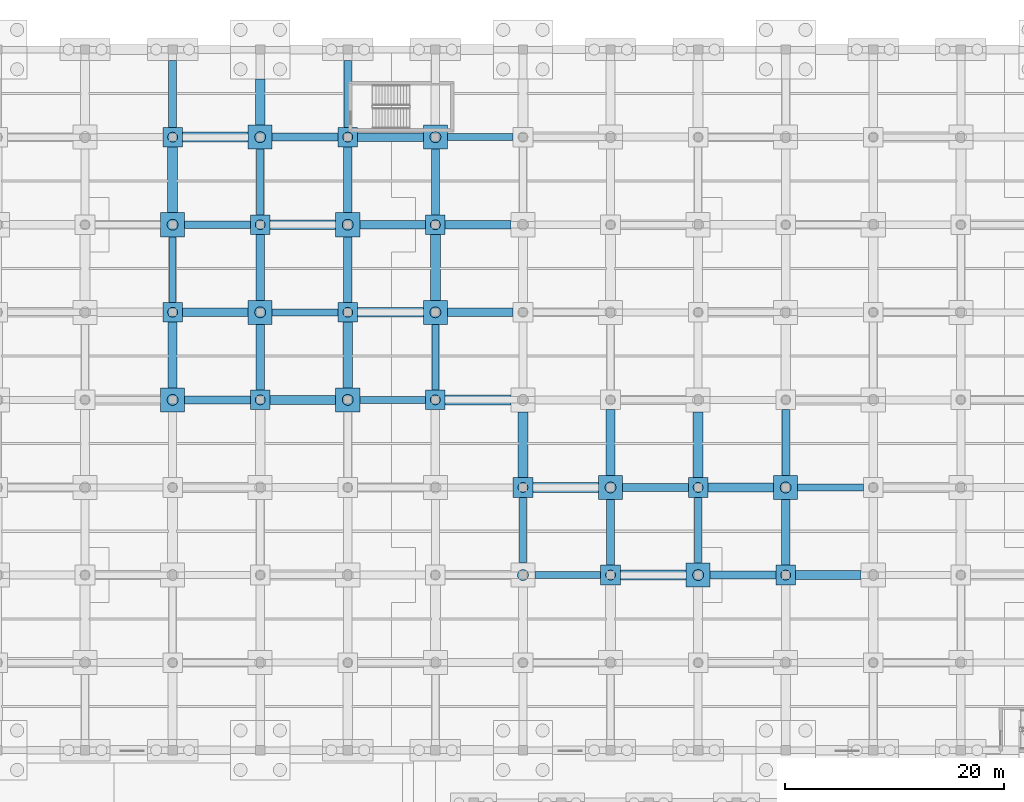
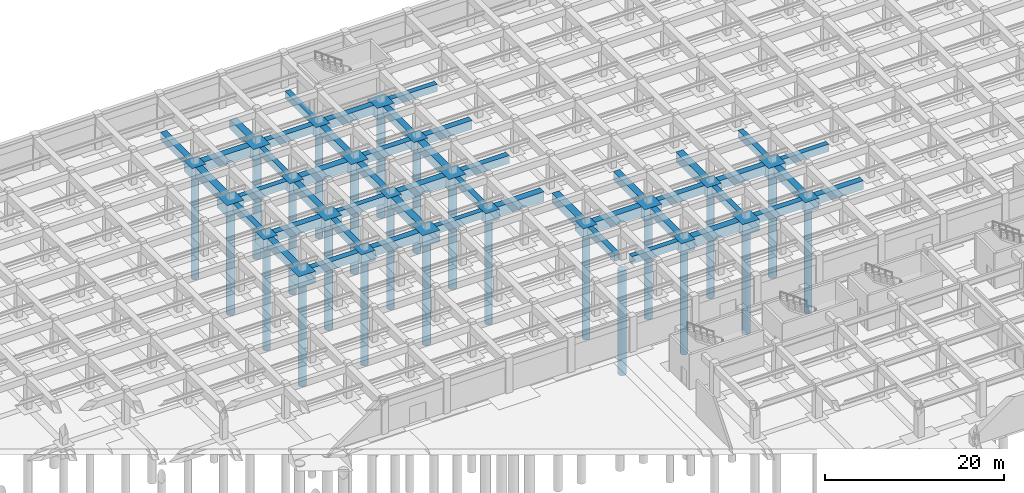
# One storey, part 10 of 48: 70 footings, 24 piles.
"""IFC4 building model written with IfcOpenShell, lengths in metres."""

from ifc_helpers import new_model, si_unit, direction, frame, origin, origin_2d, place, context, subcontext, project, spatial, polyline, rectangle, circle, outline, extrude, material, layer, layer_set, material_profile, profile_set, type_object, element, save


model = new_model("IFC4")

# Units and contexts
model_context = context("Model", 3, precision=1e-05, world=origin(), true_north=direction((0.0, 1.0)))
body_context = subcontext(model_context, "Body", "Model", "MODEL_VIEW")
ifc_project = project(units=[si_unit("LENGTHUNIT", "METRE"), si_unit("AREAUNIT", "SQUARE_METRE"), si_unit("VOLUMEUNIT", "CUBIC_METRE"), si_unit("PLANEANGLEUNIT", "RADIAN"), si_unit("MASSUNIT", "GRAM", prefix="KILO")], contexts=[model_context])

# Site, building, storey
site_placement = place(None, origin())
site = spatial("IfcSite", under=ifc_project, at=site_placement, CompositionType="ELEMENT")
building_placement = place(site_placement, origin())
building = spatial("IfcBuilding", under=site, at=building_placement, Name="Tlacozan Convention Centre", CompositionType="ELEMENT")
storey_placement = place(building_placement, frame((0.0, 0.0, -4.800048828125)))
storey = spatial("IfcBuildingStorey", under=building, at=storey_placement, Name="B01", CompositionType="ELEMENT", Elevation=-4.800048828125)

# Footings
ifc_material = material(Name="Concrete C35/45", Category="concrete")
ifc_layer_1 = layer(ifc_material, 1.0)
ifc_layer_set_1 = layer_set([ifc_layer_1], Name="Concrete C35/45")
footing_type_1 = type_object("IfcFootingType", Name="Foundation Tie Beam 650x1000", PredefinedType="FOOTING_BEAM", material=ifc_layer_set_1)
footing_1_placement = place(storey_placement, frame((0.0, 0.0, -1.0)))
element("IfcFooting", 1, at=footing_1_placement, inside=storey, type_object=footing_type_1, Name="Foundation Tie Beam X-181", PredefinedType="FOOTING_BEAM", context=body_context, shape_type="SweptSolid", body=[
    extrude(outline(polyline([(97.10009765625, 77.675048828125), (103.10009765625, 77.675048828125), (103.10009765625, 78.324951171875), (97.10009765625, 78.324951171875), (97.10009765625, 77.675048828125)])), origin(), (0.0, 0.0, 1.0), 1.0),
])
footing_2_placement = place(storey_placement, frame((0.0, 0.0, -1.0)))
element("IfcFooting", 2, at=footing_2_placement, inside=storey, type_object=footing_type_1, Name="Foundation Tie Beam X-205", PredefinedType="FOOTING_BEAM", context=body_context, shape_type="SweptSolid", body=[
    extrude(outline(polyline([(121.10009765625, 85.675048828125), (127.10009765625, 85.675048828125), (127.10009765625, 86.324951171875), (121.10009765625, 86.324951171875), (121.10009765625, 85.675048828125)])), origin(), (0.0, 0.0, 1.0), 1.0),
])
footing_3_placement = place(storey_placement, frame((0.0, 0.0, -1.0)))
element("IfcFooting", 3, at=footing_3_placement, inside=storey, type_object=footing_type_1, Name="Foundation Tie Beam X-221", PredefinedType="FOOTING_BEAM", context=body_context, shape_type="SweptSolid", body=[
    extrude(outline(polyline([(81.10009765625, 93.675048828125), (87.10009765625, 93.675048828125), (87.10009765625, 94.324951171875), (81.10009765625, 94.324951171875), (81.10009765625, 93.675048828125)])), origin(), (0.0, 0.0, 1.0), 1.0),
])
footing_4_placement = place(storey_placement, frame((0.0, 0.0, -1.0)))
element("IfcFooting", 4, at=footing_4_placement, inside=storey, type_object=footing_type_1, Name="Foundation Tie Beam X-241", PredefinedType="FOOTING_BEAM", context=body_context, shape_type="SweptSolid", body=[
    extrude(outline(polyline([(73.10009765625, 101.675048828125), (79.10009765625, 101.675048828125), (79.10009765625, 102.324951171875), (73.10009765625, 102.324951171875), (73.10009765625, 101.675048828125)])), origin(), (0.0, 0.0, 1.0), 1.0),
])
footing_5_placement = place(storey_placement, frame((0.0, 0.0, -1.0)))
element("IfcFooting", 5, at=footing_5_placement, inside=storey, type_object=footing_type_1, Name="Foundation Tie Beam X-261", PredefinedType="FOOTING_BEAM", context=body_context, shape_type="SweptSolid", body=[
    extrude(outline(polyline([(65.10009765625, 109.675048828125), (71.10009765625, 109.675048828125), (71.10009765625, 110.324951171875), (65.10009765625, 110.324951171875), (65.10009765625, 109.675048828125)])), origin(), (0.0, 0.0, 1.0), 1.0),
])
footing_6_placement = place(storey_placement, frame((0.0, 0.0, -1.0)))
element("IfcFooting", 6, at=footing_6_placement, inside=storey, type_object=footing_type_1, Name="Foundation Tie Beam X-285", PredefinedType="FOOTING_BEAM", context=body_context, shape_type="SweptSolid", body=[
    extrude(outline(polyline([(89.10009765625, 117.675048828125), (95.10009765625, 117.675048828125), (95.10009765625, 118.324951171875), (89.10009765625, 118.324951171875), (89.10009765625, 117.675048828125)])), origin(), (0.0, 0.0, 1.0), 1.0),
])
footing_7_placement = place(storey_placement, frame((0.0, 0.0, -1.0)))
element("IfcFooting", 7, at=footing_7_placement, inside=storey, type_object=footing_type_1, Name="Foundation Tie Beam Y-425", PredefinedType="FOOTING_BEAM", context=body_context, shape_type="SweptSolid", body=[
    extrude(outline(polyline([(63.675048828125, 102.89990234375), (64.324951171875, 102.89990234375), (64.324951171875, 108.89990234375), (63.675048828125, 108.89990234375), (63.675048828125, 102.89990234375)])), origin(), (0.0, 0.0, 1.0), 1.0),
])
footing_8_placement = place(storey_placement, frame((0.0, 0.0, -1.0)))
element("IfcFooting", 8, at=footing_8_placement, inside=storey, type_object=footing_type_1, Name="Foundation Tie Beam Y-437", PredefinedType="FOOTING_BEAM", context=body_context, shape_type="SweptSolid", body=[
    extrude(outline(polyline([(71.675048828125, 110.89990234375), (72.324951171875, 110.89990234375), (72.324951171875, 116.89990234375), (71.675048828125, 116.89990234375), (71.675048828125, 110.89990234375)])), origin(), (0.0, 0.0, 1.0), 1.0),
])
footing_9_placement = place(storey_placement, frame((0.0, 0.0, -1.0)))
element("IfcFooting", 9, at=footing_9_placement, inside=storey, type_object=footing_type_1, Name="Foundation Tie Beam Y-449", PredefinedType="FOOTING_BEAM", context=body_context, shape_type="SweptSolid", body=[
    extrude(outline(polyline([(79.675048828125, 118.89990234375), (80.324951171875, 118.89990234375), (80.324951171875, 125.0), (79.675048828125, 125.0), (79.675048828125, 118.89990234375)])), origin(), (0.0, 0.0, 1.0), 1.0),
])
footing_10_placement = place(storey_placement, frame((0.0, 0.0, -1.0)))
element("IfcFooting", 10, at=footing_10_placement, inside=storey, type_object=footing_type_1, Name="Foundation Tie Beam Y-457", PredefinedType="FOOTING_BEAM", context=body_context, shape_type="SweptSolid", body=[
    extrude(outline(polyline([(87.675048828125, 94.89990234375), (88.324951171875, 94.89990234375), (88.324951171875, 100.89990234375), (87.675048828125, 100.89990234375), (87.675048828125, 94.89990234375)])), origin(), (0.0, 0.0, 1.0), 1.0),
])
footing_11_placement = place(storey_placement, frame((0.0, 0.0, -1.0)))
element("IfcFooting", 11, at=footing_11_placement, inside=storey, type_object=footing_type_1, Name="Foundation Tie Beam Y-469", PredefinedType="FOOTING_BEAM", context=body_context, shape_type="SweptSolid", body=[
    extrude(outline(polyline([(95.675048828125, 79.10009765625), (96.324951171875, 79.10009765625), (96.324951171875, 85.10009765625), (95.675048828125, 85.10009765625), (95.675048828125, 79.10009765625)])), origin(), (0.0, 0.0, 1.0), 1.0),
])
footing_12_placement = place(storey_placement, frame((0.0, 0.0, -1.0)))
element("IfcFooting", 12, at=footing_12_placement, inside=storey, type_object=footing_type_1, Name="Foundation Tie Beam Y-497", PredefinedType="FOOTING_BEAM", context=body_context, shape_type="SweptSolid", body=[
    extrude(outline(polyline([(111.675048828125, 79.10009765625), (112.324951171875, 79.10009765625), (112.324951171875, 85.10009765625), (111.675048828125, 85.10009765625), (111.675048828125, 79.10009765625)])), origin(), (0.0, 0.0, 1.0), 1.0),
])
footing_13_placement = place(storey_placement, frame((0.0, 0.0, -1.0)))
element("IfcFooting", 13, at=footing_13_placement, inside=storey, type_object=footing_type_1, Name="Foundation Tie Beam Y-509", PredefinedType="FOOTING_BEAM", context=body_context, shape_type="SweptSolid", body=[
    extrude(outline(polyline([(119.675048828125, 87.10009765625), (120.324951171875, 87.10009765625), (120.324951171875, 93.10009765625), (119.675048828125, 93.10009765625), (119.675048828125, 87.10009765625)])), origin(), (0.0, 0.0, 1.0), 1.0),
])
ifc_layer_2 = layer(ifc_material, 1.10009765625)
ifc_layer_set_2 = layer_set([ifc_layer_2], Name="Concrete C35/45")
footing_type_2 = type_object("IfcFootingType", Name="Foundation Tie Beam 750x1100", PredefinedType="FOOTING_BEAM", material=ifc_layer_set_2)
footing_14_placement = place(storey_placement, frame((0.0, 0.0, -1.099853515625)))
element("IfcFooting", 14, at=footing_14_placement, inside=storey, type_object=footing_type_2, Name="Foundation Tie Beam X-183", PredefinedType="FOOTING_BEAM", context=body_context, shape_type="SweptSolid", body=[
    extrude(outline(polyline([(113.10009765625, 77.625), (119.10009765625, 77.625), (119.10009765625, 78.375), (113.10009765625, 78.375), (113.10009765625, 77.625)])), origin(), (0.0, 0.0, 1.0), 1.099853515625),
])
footing_15_placement = place(storey_placement, frame((0.0, 0.0, -1.099853515625)))
element("IfcFooting", 15, at=footing_15_placement, inside=storey, type_object=footing_type_2, Name="Foundation Tie Beam X-203", PredefinedType="FOOTING_BEAM", context=body_context, shape_type="SweptSolid", body=[
    extrude(outline(polyline([(105.10009765625, 85.625), (111.10009765625, 85.625), (111.10009765625, 86.375), (105.10009765625, 86.375), (105.10009765625, 85.625)])), origin(), (0.0, 0.0, 1.0), 1.099853515625),
])
footing_16_placement = place(storey_placement, frame((0.0, 0.0, -1.099853515625)))
element("IfcFooting", 16, at=footing_16_placement, inside=storey, type_object=footing_type_2, Name="Foundation Tie Beam X-219", PredefinedType="FOOTING_BEAM", context=body_context, shape_type="SweptSolid", body=[
    extrude(outline(polyline([(65.10009765625, 93.625), (71.10009765625, 93.625), (71.10009765625, 94.375), (65.10009765625, 94.375), (65.10009765625, 93.625)])), origin(), (0.0, 0.0, 1.0), 1.099853515625),
])
footing_17_placement = place(storey_placement, frame((0.0, 0.0, -1.099853515625)))
element("IfcFooting", 17, at=footing_17_placement, inside=storey, type_object=footing_type_2, Name="Foundation Tie Beam X-243", PredefinedType="FOOTING_BEAM", context=body_context, shape_type="SweptSolid", body=[
    extrude(outline(polyline([(89.10009765625, 101.625), (95.10009765625, 101.625), (95.10009765625, 102.375), (89.10009765625, 102.375), (89.10009765625, 101.625)])), origin(), (0.0, 0.0, 1.0), 1.099853515625),
])
footing_18_placement = place(storey_placement, frame((0.0, 0.0, -1.099853515625)))
element("IfcFooting", 18, at=footing_18_placement, inside=storey, type_object=footing_type_2, Name="Foundation Tie Beam X-263", PredefinedType="FOOTING_BEAM", context=body_context, shape_type="SweptSolid", body=[
    extrude(outline(polyline([(81.10009765625, 109.625), (87.10009765625, 109.625), (87.10009765625, 110.375), (81.10009765625, 110.375), (81.10009765625, 109.625)])), origin(), (0.0, 0.0, 1.0), 1.099853515625),
])
footing_19_placement = place(storey_placement, frame((0.0, 0.0, -1.099853515625)))
element("IfcFooting", 19, at=footing_19_placement, inside=storey, type_object=footing_type_2, Name="Foundation Tie Beam X-283", PredefinedType="FOOTING_BEAM", context=body_context, shape_type="SweptSolid", body=[
    extrude(outline(polyline([(73.10009765625, 117.625), (79.10009765625, 117.625), (79.10009765625, 118.375), (73.10009765625, 118.375), (73.10009765625, 117.625)])), origin(), (0.0, 0.0, 1.0), 1.099853515625),
])
footing_20_placement = place(storey_placement, frame((0.0, 0.0, -1.099853515625)))
element("IfcFooting", 20, at=footing_20_placement, inside=storey, type_object=footing_type_2, Name="Foundation Tie Beam Y-427", PredefinedType="FOOTING_BEAM", context=body_context, shape_type="SweptSolid", body=[
    extrude(outline(polyline([(63.625, 118.89990234375), (64.375, 118.89990234375), (64.375, 125.0), (63.625, 125.0), (63.625, 118.89990234375)])), origin(), (0.0, 0.0, 1.0), 1.099853515625),
])
footing_21_placement = place(storey_placement, frame((0.0, 0.0, -1.099853515625)))
element("IfcFooting", 21, at=footing_21_placement, inside=storey, type_object=footing_type_2, Name="Foundation Tie Beam Y-435", PredefinedType="FOOTING_BEAM", context=body_context, shape_type="SweptSolid", body=[
    extrude(outline(polyline([(71.625, 94.89990234375), (72.375, 94.89990234375), (72.375, 100.89990234375), (71.625, 100.89990234375), (71.625, 94.89990234375)])), origin(), (0.0, 0.0, 1.0), 1.099853515625),
])
footing_22_placement = place(storey_placement, frame((0.0, 0.0, -1.099853515625)))
element("IfcFooting", 22, at=footing_22_placement, inside=storey, type_object=footing_type_2, Name="Foundation Tie Beam Y-447", PredefinedType="FOOTING_BEAM", context=body_context, shape_type="SweptSolid", body=[
    extrude(outline(polyline([(79.625, 102.89990234375), (80.375, 102.89990234375), (80.375, 108.89990234375), (79.625, 108.89990234375), (79.625, 102.89990234375)])), origin(), (0.0, 0.0, 1.0), 1.099853515625),
])
footing_23_placement = place(storey_placement, frame((0.0, 0.0, -1.099853515625)))
element("IfcFooting", 23, at=footing_23_placement, inside=storey, type_object=footing_type_2, Name="Foundation Tie Beam Y-459", PredefinedType="FOOTING_BEAM", context=body_context, shape_type="SweptSolid", body=[
    extrude(outline(polyline([(87.625, 110.89990234375), (88.375, 110.89990234375), (88.375, 116.89990234375), (87.625, 116.89990234375), (87.625, 110.89990234375)])), origin(), (0.0, 0.0, 1.0), 1.099853515625),
])
footing_24_placement = place(storey_placement, frame((0.0, 0.0, -1.099853515625)))
element("IfcFooting", 24, at=footing_24_placement, inside=storey, type_object=footing_type_2, Name="Foundation Tie Beam Y-483", PredefinedType="FOOTING_BEAM", context=body_context, shape_type="SweptSolid", body=[
    extrude(outline(polyline([(103.625, 78.89990234375), (104.375, 78.89990234375), (104.375, 84.89990234375), (103.625, 84.89990234375), (103.625, 78.89990234375)])), origin(), (0.0, 0.0, 1.0), 1.099853515625),
])
ifc_layer_3 = layer(ifc_material, 1.199951171875)
ifc_layer_set_3 = layer_set([ifc_layer_3], Name="Concrete C35/45")
footing_type_3 = type_object("IfcFootingType", Name="Foundation Tie Beam 800x1200", PredefinedType="FOOTING_BEAM", material=ifc_layer_set_3)
footing_25_placement = place(storey_placement, frame((0.0, 0.0, -1.199951171875)))
element("IfcFooting", 25, at=footing_25_placement, inside=storey, type_object=footing_type_3, Name="Foundation Tie Beam X-184", PredefinedType="FOOTING_BEAM", context=body_context, shape_type="SweptSolid", body=[
    extrude(outline(polyline([(120.89990234375, 77.60009765625), (126.89990234375, 77.60009765625), (126.89990234375, 78.39990234375), (120.89990234375, 78.39990234375), (120.89990234375, 77.60009765625)])), origin(), (0.0, 0.0, 1.0), 1.199951171875),
])
footing_26_placement = place(storey_placement, frame((0.0, 0.0, -1.199951171875)))
element("IfcFooting", 26, at=footing_26_placement, inside=storey, type_object=footing_type_3, Name="Foundation Tie Beam X-204", PredefinedType="FOOTING_BEAM", context=body_context, shape_type="SweptSolid", body=[
    extrude(outline(polyline([(112.89990234375, 85.60009765625), (118.89990234375, 85.60009765625), (118.89990234375, 86.39990234375), (112.89990234375, 86.39990234375), (112.89990234375, 85.60009765625)])), origin(), (0.0, 0.0, 1.0), 1.199951171875),
])
footing_27_placement = place(storey_placement, frame((0.0, 0.0, -1.199951171875)))
element("IfcFooting", 27, at=footing_27_placement, inside=storey, type_object=footing_type_3, Name="Foundation Tie Beam X-220", PredefinedType="FOOTING_BEAM", context=body_context, shape_type="SweptSolid", body=[
    extrude(outline(polyline([(72.89990234375, 93.60009765625), (78.89990234375, 93.60009765625), (78.89990234375, 94.39990234375), (72.89990234375, 94.39990234375), (72.89990234375, 93.60009765625)])), origin(), (0.0, 0.0, 1.0), 1.199951171875),
])
footing_28_placement = place(storey_placement, frame((0.0, 0.0, -1.199951171875)))
element("IfcFooting", 28, at=footing_28_placement, inside=storey, type_object=footing_type_3, Name="Foundation Tie Beam X-240", PredefinedType="FOOTING_BEAM", context=body_context, shape_type="SweptSolid", body=[
    extrude(outline(polyline([(64.89990234375, 101.60009765625), (70.89990234375, 101.60009765625), (70.89990234375, 102.39990234375), (64.89990234375, 102.39990234375), (64.89990234375, 101.60009765625)])), origin(), (0.0, 0.0, 1.0), 1.199951171875),
])
footing_29_placement = place(storey_placement, frame((0.0, 0.0, -1.199951171875)))
element("IfcFooting", 29, at=footing_29_placement, inside=storey, type_object=footing_type_3, Name="Foundation Tie Beam X-264", PredefinedType="FOOTING_BEAM", context=body_context, shape_type="SweptSolid", body=[
    extrude(outline(polyline([(88.89990234375, 109.60009765625), (94.89990234375, 109.60009765625), (94.89990234375, 110.39990234375), (88.89990234375, 110.39990234375), (88.89990234375, 109.60009765625)])), origin(), (0.0, 0.0, 1.0), 1.199951171875),
])
footing_30_placement = place(storey_placement, frame((0.0, 0.0, -1.199951171875)))
element("IfcFooting", 30, at=footing_30_placement, inside=storey, type_object=footing_type_3, Name="Foundation Tie Beam X-284", PredefinedType="FOOTING_BEAM", context=body_context, shape_type="SweptSolid", body=[
    extrude(outline(polyline([(80.89990234375, 117.60009765625), (86.89990234375, 117.60009765625), (86.89990234375, 118.39990234375), (80.89990234375, 118.39990234375), (80.89990234375, 117.60009765625)])), origin(), (0.0, 0.0, 1.0), 1.199951171875),
])
footing_31_placement = place(storey_placement, frame((0.0, 0.0, -1.199951171875)))
element("IfcFooting", 31, at=footing_31_placement, inside=storey, type_object=footing_type_3, Name="Foundation Tie Beam Y-424", PredefinedType="FOOTING_BEAM", context=body_context, shape_type="SweptSolid", body=[
    extrude(outline(polyline([(63.60009765625, 95.10009765625), (64.39990234375, 95.10009765625), (64.39990234375, 101.10009765625), (63.60009765625, 101.10009765625), (63.60009765625, 95.10009765625)])), origin(), (0.0, 0.0, 1.0), 1.199951171875),
])
footing_32_placement = place(storey_placement, frame((0.0, 0.0, -1.199951171875)))
element("IfcFooting", 32, at=footing_32_placement, inside=storey, type_object=footing_type_3, Name="Foundation Tie Beam Y-436", PredefinedType="FOOTING_BEAM", context=body_context, shape_type="SweptSolid", body=[
    extrude(outline(polyline([(71.60009765625, 103.10009765625), (72.39990234375, 103.10009765625), (72.39990234375, 109.10009765625), (71.60009765625, 109.10009765625), (71.60009765625, 103.10009765625)])), origin(), (0.0, 0.0, 1.0), 1.199951171875),
])
footing_33_placement = place(storey_placement, frame((0.0, 0.0, -1.199951171875)))
element("IfcFooting", 33, at=footing_33_placement, inside=storey, type_object=footing_type_3, Name="Foundation Tie Beam Y-448", PredefinedType="FOOTING_BEAM", context=body_context, shape_type="SweptSolid", body=[
    extrude(outline(polyline([(79.60009765625, 111.10009765625), (80.39990234375, 111.10009765625), (80.39990234375, 117.10009765625), (79.60009765625, 117.10009765625), (79.60009765625, 111.10009765625)])), origin(), (0.0, 0.0, 1.0), 1.199951171875),
])
footing_34_placement = place(storey_placement, frame((0.0, 0.0, -1.199951171875)))
element("IfcFooting", 34, at=footing_34_placement, inside=storey, type_object=footing_type_3, Name="Foundation Tie Beam Y-484", PredefinedType="FOOTING_BEAM", context=body_context, shape_type="SweptSolid", body=[
    extrude(outline(polyline([(103.60009765625, 87.10009765625), (104.39990234375, 87.10009765625), (104.39990234375, 93.10009765625), (103.60009765625, 93.10009765625), (103.60009765625, 87.10009765625)])), origin(), (0.0, 0.0, 1.0), 1.199951171875),
])
footing_35_placement = place(storey_placement, frame((0.0, 0.0, -1.199951171875)))
element("IfcFooting", 35, at=footing_35_placement, inside=storey, type_object=footing_type_3, Name="Foundation Tie Beam Y-508", PredefinedType="FOOTING_BEAM", context=body_context, shape_type="SweptSolid", body=[
    extrude(outline(polyline([(119.60009765625, 78.89990234375), (120.39990234375, 78.89990234375), (120.39990234375, 84.89990234375), (119.60009765625, 84.89990234375), (119.60009765625, 78.89990234375)])), origin(), (0.0, 0.0, 1.0), 1.199951171875),
])
ifc_layer_4 = layer(ifc_material, 1.300048828125)
ifc_layer_set_4 = layer_set([ifc_layer_4], Name="Concrete C35/45")
footing_type_4 = type_object("IfcFootingType", Name="Foundation Tie Beam 900x1300", PredefinedType="FOOTING_BEAM", material=ifc_layer_set_4)
footing_36_placement = place(storey_placement, frame((0.0, 0.0, -1.300048828125)))
element("IfcFooting", 36, at=footing_36_placement, inside=storey, type_object=footing_type_4, Name="Foundation Tie Beam X-182", PredefinedType="FOOTING_BEAM", context=body_context, shape_type="SweptSolid", body=[
    extrude(outline(polyline([(104.89990234375, 77.550048828125), (110.89990234375, 77.550048828125), (110.89990234375, 78.449951171875), (104.89990234375, 78.449951171875), (104.89990234375, 77.550048828125)])), origin(), (0.0, 0.0, 1.0), 1.300048828125),
])
footing_37_placement = place(storey_placement, frame((0.0, 0.0, -1.300048828125)))
element("IfcFooting", 37, at=footing_37_placement, inside=storey, type_object=footing_type_4, Name="Foundation Tie Beam X-202", PredefinedType="FOOTING_BEAM", context=body_context, shape_type="SweptSolid", body=[
    extrude(outline(polyline([(96.89990234375, 85.550048828125), (102.89990234375, 85.550048828125), (102.89990234375, 86.449951171875), (96.89990234375, 86.449951171875), (96.89990234375, 85.550048828125)])), origin(), (0.0, 0.0, 1.0), 1.300048828125),
])
footing_38_placement = place(storey_placement, frame((0.0, 0.0, -1.300048828125)))
element("IfcFooting", 38, at=footing_38_placement, inside=storey, type_object=footing_type_4, Name="Foundation Tie Beam X-222", PredefinedType="FOOTING_BEAM", context=body_context, shape_type="SweptSolid", body=[
    extrude(outline(polyline([(88.89990234375, 93.550048828125), (94.89990234375, 93.550048828125), (94.89990234375, 94.449951171875), (88.89990234375, 94.449951171875), (88.89990234375, 93.550048828125)])), origin(), (0.0, 0.0, 1.0), 1.300048828125),
])
footing_39_placement = place(storey_placement, frame((0.0, 0.0, -1.300048828125)))
element("IfcFooting", 39, at=footing_39_placement, inside=storey, type_object=footing_type_4, Name="Foundation Tie Beam X-242", PredefinedType="FOOTING_BEAM", context=body_context, shape_type="SweptSolid", body=[
    extrude(outline(polyline([(80.89990234375, 101.550048828125), (86.89990234375, 101.550048828125), (86.89990234375, 102.449951171875), (80.89990234375, 102.449951171875), (80.89990234375, 101.550048828125)])), origin(), (0.0, 0.0, 1.0), 1.300048828125),
])
footing_40_placement = place(storey_placement, frame((0.0, 0.0, -1.300048828125)))
element("IfcFooting", 40, at=footing_40_placement, inside=storey, type_object=footing_type_4, Name="Foundation Tie Beam X-262", PredefinedType="FOOTING_BEAM", context=body_context, shape_type="SweptSolid", body=[
    extrude(outline(polyline([(72.89990234375, 109.550048828125), (78.89990234375, 109.550048828125), (78.89990234375, 110.449951171875), (72.89990234375, 110.449951171875), (72.89990234375, 109.550048828125)])), origin(), (0.0, 0.0, 1.0), 1.300048828125),
])
footing_41_placement = place(storey_placement, frame((0.0, 0.0, -1.300048828125)))
element("IfcFooting", 41, at=footing_41_placement, inside=storey, type_object=footing_type_4, Name="Foundation Tie Beam X-282", PredefinedType="FOOTING_BEAM", context=body_context, shape_type="SweptSolid", body=[
    extrude(outline(polyline([(64.89990234375, 117.550048828125), (70.89990234375, 117.550048828125), (70.89990234375, 118.449951171875), (64.89990234375, 118.449951171875), (64.89990234375, 117.550048828125)])), origin(), (0.0, 0.0, 1.0), 1.300048828125),
])
footing_42_placement = place(storey_placement, frame((0.0, 0.0, -1.300048828125)))
element("IfcFooting", 42, at=footing_42_placement, inside=storey, type_object=footing_type_4, Name="Foundation Tie Beam Y-426", PredefinedType="FOOTING_BEAM", context=body_context, shape_type="SweptSolid", body=[
    extrude(outline(polyline([(63.550048828125, 111.10009765625), (64.449951171875, 111.10009765625), (64.449951171875, 117.10009765625), (63.550048828125, 117.10009765625), (63.550048828125, 111.10009765625)])), origin(), (0.0, 0.0, 1.0), 1.300048828125),
])
footing_43_placement = place(storey_placement, frame((0.0, 0.0, -1.300048828125)))
element("IfcFooting", 43, at=footing_43_placement, inside=storey, type_object=footing_type_4, Name="Foundation Tie Beam Y-438", PredefinedType="FOOTING_BEAM", context=body_context, shape_type="SweptSolid", body=[
    extrude(outline(polyline([(71.550048828125, 119.10009765625), (72.449951171875, 119.10009765625), (72.449951171875, 123.300048828125), (71.550048828125, 123.300048828125), (71.550048828125, 119.10009765625)])), origin(), (0.0, 0.0, 1.0), 1.300048828125),
])
footing_44_placement = place(storey_placement, frame((0.0, 0.0, -1.300048828125)))
element("IfcFooting", 44, at=footing_44_placement, inside=storey, type_object=footing_type_4, Name="Foundation Tie Beam Y-446", PredefinedType="FOOTING_BEAM", context=body_context, shape_type="SweptSolid", body=[
    extrude(outline(polyline([(79.550048828125, 95.10009765625), (80.449951171875, 95.10009765625), (80.449951171875, 101.10009765625), (79.550048828125, 101.10009765625), (79.550048828125, 95.10009765625)])), origin(), (0.0, 0.0, 1.0), 1.300048828125),
])
footing_45_placement = place(storey_placement, frame((0.0, 0.0, -1.300048828125)))
element("IfcFooting", 45, at=footing_45_placement, inside=storey, type_object=footing_type_4, Name="Foundation Tie Beam Y-458", PredefinedType="FOOTING_BEAM", context=body_context, shape_type="SweptSolid", body=[
    extrude(outline(polyline([(87.550048828125, 103.10009765625), (88.449951171875, 103.10009765625), (88.449951171875, 109.10009765625), (87.550048828125, 109.10009765625), (87.550048828125, 103.10009765625)])), origin(), (0.0, 0.0, 1.0), 1.300048828125),
])
footing_46_placement = place(storey_placement, frame((0.0, 0.0, -1.300048828125)))
element("IfcFooting", 46, at=footing_46_placement, inside=storey, type_object=footing_type_4, Name="Foundation Tie Beam Y-470", PredefinedType="FOOTING_BEAM", context=body_context, shape_type="SweptSolid", body=[
    extrude(outline(polyline([(95.550048828125, 86.89990234375), (96.449951171875, 86.89990234375), (96.449951171875, 92.89990234375), (95.550048828125, 92.89990234375), (95.550048828125, 86.89990234375)])), origin(), (0.0, 0.0, 1.0), 1.300048828125),
])
footing_47_placement = place(storey_placement, frame((0.0, 0.0, -1.300048828125)))
element("IfcFooting", 47, at=footing_47_placement, inside=storey, type_object=footing_type_4, Name="Foundation Tie Beam Y-498", PredefinedType="FOOTING_BEAM", context=body_context, shape_type="SweptSolid", body=[
    extrude(outline(polyline([(111.550048828125, 86.89990234375), (112.449951171875, 86.89990234375), (112.449951171875, 92.89990234375), (111.550048828125, 92.89990234375), (111.550048828125, 86.89990234375)])), origin(), (0.0, 0.0, 1.0), 1.300048828125),
])
ifc_layer_5 = layer(ifc_material, 1.39990234375)
ifc_layer_set_5 = layer_set([ifc_layer_5], Name="Concrete C35/45")
footing_type_5 = type_object("IfcFootingType", Name="Pile Cap 1P 1800x1800x1400", PredefinedType="PILE_CAP", material=ifc_layer_set_5)
for number, where, z_axis, x_axis, name in (
    (48, (64.0, 102.0, -1.39990234375), (0.0, 0.0, 1.0), (1.0, 0.0, 0.0), "Pile Cap PC-01 (129)"),
    (49, (64.0, 118.0, -1.39990234375), (0.0, 0.0, 1.0), (1.0, 0.0, 0.0), "Pile Cap PC-01 (131)"),
    (50, (72.0, 94.0, -1.39990234375), (0.0, 0.0, 1.0), (1.0, 0.0, 0.0), "Pile Cap PC-01 (141)"),
    (51, (72.0, 110.0, -1.39990234375), (0.0, 0.0, 1.0), (1.0, 0.0, 0.0), "Pile Cap PC-01 (143)"),
    (52, (80.0, 102.0, -1.39990234375), (0.0, 0.0, 1.0), (1.0, 0.0, 0.0), "Pile Cap PC-01 (155)"),
    (53, (80.0, 118.0, -1.39990234375), (0.0, 0.0, 1.0), (1.0, 0.0, 0.0), "Pile Cap PC-01 (157)"),
    (54, (88.0, 94.0, -1.39990234375), (0.0, 0.0, 1.0), (1.0, 0.0, 0.0), "Pile Cap PC-01 (167)"),
    (55, (88.0, 110.0, -1.39990234375), (0.0, 0.0, 1.0), (1.0, 0.0, 0.0), "Pile Cap PC-01 (169)"),
    (56, (96.0, 86.0, -1.39990234375), (0.0, 0.0, 1.0), (1.0, 0.0, 0.0), "Pile Cap PC-01 (183)"),
    (57, (104.0, 78.0, -1.39990234375), (0.0, 0.0, 1.0), (1.0, 0.0, 0.0), "Pile Cap PC-01 (199)"),
    (58, (112.0, 86.0, -1.39990234375), (0.0, 0.0, 1.0), (1.0, 0.0, 0.0), "Pile Cap PC-01 (217)"),
    (59, (120.0, 78.0, -1.39990234375), (0.0, 0.0, 1.0), (1.0, 0.0, 0.0), "Pile Cap PC-01 (229)"),
):
    element("IfcFooting", number, at=place(storey_placement, frame(where, z_axis=z_axis, x_axis=x_axis)), inside=storey, type_object=footing_type_5, Name=name, PredefinedType="PILE_CAP", context=body_context, shape_type="SweptSolid", body=[
        extrude(rectangle(XDim=1.800048828125, YDim=1.800048828125, at=origin_2d()), origin(), (0.0, 0.0, 1.0), 1.39990234375),
    ])
ifc_layer_6 = layer(ifc_material, 1.550048828125)
ifc_layer_set_6 = layer_set([ifc_layer_6], Name="Concrete C35/45")
footing_type_6 = type_object("IfcFootingType", Name="Pile Cap 1P 2200x2200x1550", PredefinedType="PILE_CAP", material=ifc_layer_set_6)
for number, where, z_axis, x_axis, name in (
    (60, (64.0, 94.0, -1.5498046875), (0.0, 0.0, 1.0), (1.0, 0.0, 0.0), "Pile Cap PC-09 (128)"),
    (61, (64.0, 110.0, -1.5498046875), (0.0, 0.0, 1.0), (1.0, 0.0, 0.0), "Pile Cap PC-09 (130)"),
    (62, (72.0, 102.0, -1.5498046875), (0.0, 0.0, 1.0), (1.0, 0.0, 0.0), "Pile Cap PC-09 (142)"),
    (63, (72.0, 118.0, -1.5498046875), (0.0, 0.0, 1.0), (1.0, 0.0, 0.0), "Pile Cap PC-09 (144)"),
    (64, (80.0, 94.0, -1.5498046875), (0.0, 0.0, 1.0), (1.0, 0.0, 0.0), "Pile Cap PC-09 (154)"),
    (65, (80.0, 110.0, -1.5498046875), (0.0, 0.0, 1.0), (1.0, 0.0, 0.0), "Pile Cap PC-09 (156)"),
    (66, (88.0, 102.0, -1.5498046875), (0.0, 0.0, 1.0), (1.0, 0.0, 0.0), "Pile Cap PC-09 (168)"),
    (67, (88.0, 118.0, -1.5498046875), (0.0, 0.0, 1.0), (1.0, 0.0, 0.0), "Pile Cap PC-09 (170)"),
    (68, (104.0, 86.0, -1.5498046875), (0.0, 0.0, 1.0), (1.0, 0.0, 0.0), "Pile Cap PC-09 (200)"),
    (69, (112.0, 78.0, -1.5498046875), (0.0, 0.0, 1.0), (1.0, 0.0, 0.0), "Pile Cap PC-09 (216)"),
    (70, (120.0, 86.0, -1.5498046875), (0.0, 0.0, 1.0), (1.0, 0.0, 0.0), "Pile Cap PC-09 (230)"),
):
    element("IfcFooting", number, at=place(storey_placement, frame(where, z_axis=z_axis, x_axis=x_axis)), inside=storey, type_object=footing_type_6, Name=name, PredefinedType="PILE_CAP", context=body_context, shape_type="SweptSolid", body=[
        extrude(rectangle(XDim=2.199951171875, YDim=2.199951171875, at=origin_2d()), origin(), (0.0, 0.0, 1.0), 1.550048828125),
    ])

# Piles
ifc_material_profile_1 = material_profile(ifc_material, circle(Radius=0.5, at=origin_2d()), Name="PILE D1000")
ifc_profile_set_1 = profile_set([ifc_material_profile_1], Name="Concrete C35/45")
pile_type_1 = type_object("IfcPileType", Name="Pile D1000 Bored", PredefinedType="BORED", material=ifc_profile_set_1)
for number, where, z_axis, x_axis, name in (
    (71, (64.0, 94.0, -1.429931640625), (0.0, 0.0, -1.0), (1.0, 0.0, 0.0), "Bored Pile 250"),
    (72, (64.0, 110.0, -1.429931640625), (0.0, 0.0, -1.0), (1.0, 0.0, 0.0), "Bored Pile 252"),
    (73, (72.0, 102.0, -1.429931640625), (0.0, 0.0, -1.0), (1.0, 0.0, 0.0), "Bored Pile 278"),
    (74, (72.0, 118.0, -1.429931640625), (0.0, 0.0, -1.0), (1.0, 0.0, 0.0), "Bored Pile 280"),
    (75, (80.0, 94.0, -1.429931640625), (0.0, 0.0, -1.0), (1.0, 0.0, 0.0), "Bored Pile 304"),
    (76, (80.0, 110.0, -1.429931640625), (0.0, 0.0, -1.0), (1.0, 0.0, 0.0), "Bored Pile 306"),
    (77, (88.0, 102.0, -1.429931640625), (0.0, 0.0, -1.0), (1.0, 0.0, 0.0), "Bored Pile 330"),
    (78, (88.0, 118.0, -1.429931640625), (0.0, 0.0, -1.0), (1.0, 0.0, 0.0), "Bored Pile 332"),
    (79, (96.0, 78.0, -1.429931640625), (0.0, 0.0, -1.0), (1.0, 0.0, 0.0), "Bored Pile 360"),
    (80, (104.0, 86.0, -1.429931640625), (0.0, 0.0, -1.0), (1.0, 0.0, 0.0), "Bored Pile 394"),
    (81, (112.0, 78.0, -1.429931640625), (0.0, 0.0, -1.0), (1.0, 0.0, 0.0), "Bored Pile 426"),
    (82, (120.0, 86.0, -1.429931640625), (0.0, 0.0, -1.0), (1.0, 0.0, 0.0), "Bored Pile 446"),
):
    element("IfcPile", number, at=place(storey_placement, frame(where, z_axis=z_axis, x_axis=x_axis)), inside=storey, type_object=pile_type_1, Name=name, PredefinedType="BORED", context=body_context, shape_type="SweptSolid", body=[
        extrude(circle(Radius=0.5, at=origin_2d()), origin(), (0.0, 0.0, 1.0), 14.27001953125),
    ])
ifc_material_profile_2 = material_profile(ifc_material, circle(Radius=0.449951171875, at=origin_2d()), Name="PILE D900")
ifc_profile_set_2 = profile_set([ifc_material_profile_2], Name="Concrete C35/45")
pile_type_2 = type_object("IfcPileType", Name="Pile D900 Bored", PredefinedType="BORED", material=ifc_profile_set_2)
for number, where, z_axis, x_axis, name in (
    (83, (64.0, 102.0, -1.280029296875), (0.0, 0.0, -1.0), (1.0, 0.0, 0.0), "Bored Pile 251"),
    (84, (64.0, 118.0, -1.280029296875), (0.0, 0.0, -1.0), (1.0, 0.0, 0.0), "Bored Pile 253"),
    (85, (72.0, 94.0, -1.280029296875), (0.0, 0.0, -1.0), (1.0, 0.0, 0.0), "Bored Pile 277"),
    (86, (72.0, 110.0, -1.280029296875), (0.0, 0.0, -1.0), (1.0, 0.0, 0.0), "Bored Pile 279"),
    (87, (80.0, 102.0, -1.280029296875), (0.0, 0.0, -1.0), (1.0, 0.0, 0.0), "Bored Pile 305"),
    (88, (80.0, 118.0, -1.280029296875), (0.0, 0.0, -1.0), (1.0, 0.0, 0.0), "Bored Pile 307"),
    (89, (88.0, 94.0, -1.280029296875), (0.0, 0.0, -1.0), (1.0, 0.0, 0.0), "Bored Pile 329"),
    (90, (88.0, 110.0, -1.280029296875), (0.0, 0.0, -1.0), (1.0, 0.0, 0.0), "Bored Pile 331"),
    (91, (96.0, 86.0, -1.280029296875), (0.0, 0.0, -1.0), (1.0, 0.0, 0.0), "Bored Pile 361"),
    (92, (104.0, 78.0, -1.280029296875), (0.0, 0.0, -1.0), (1.0, 0.0, 0.0), "Bored Pile 393"),
    (93, (112.0, 86.0, -1.280029296875), (0.0, 0.0, -1.0), (1.0, 0.0, 0.0), "Bored Pile 427"),
    (94, (120.0, 78.0, -1.280029296875), (0.0, 0.0, -1.0), (1.0, 0.0, 0.0), "Bored Pile 445"),
):
    element("IfcPile", number, at=place(storey_placement, frame(where, z_axis=z_axis, x_axis=x_axis)), inside=storey, type_object=pile_type_2, Name=name, PredefinedType="BORED", context=body_context, shape_type="SweptSolid", body=[
        extrude(circle(Radius=0.449951171875, at=origin_2d()), origin(), (0.0, 0.0, 1.0), 14.419921875),
    ])

save(model, "model.ifc")
